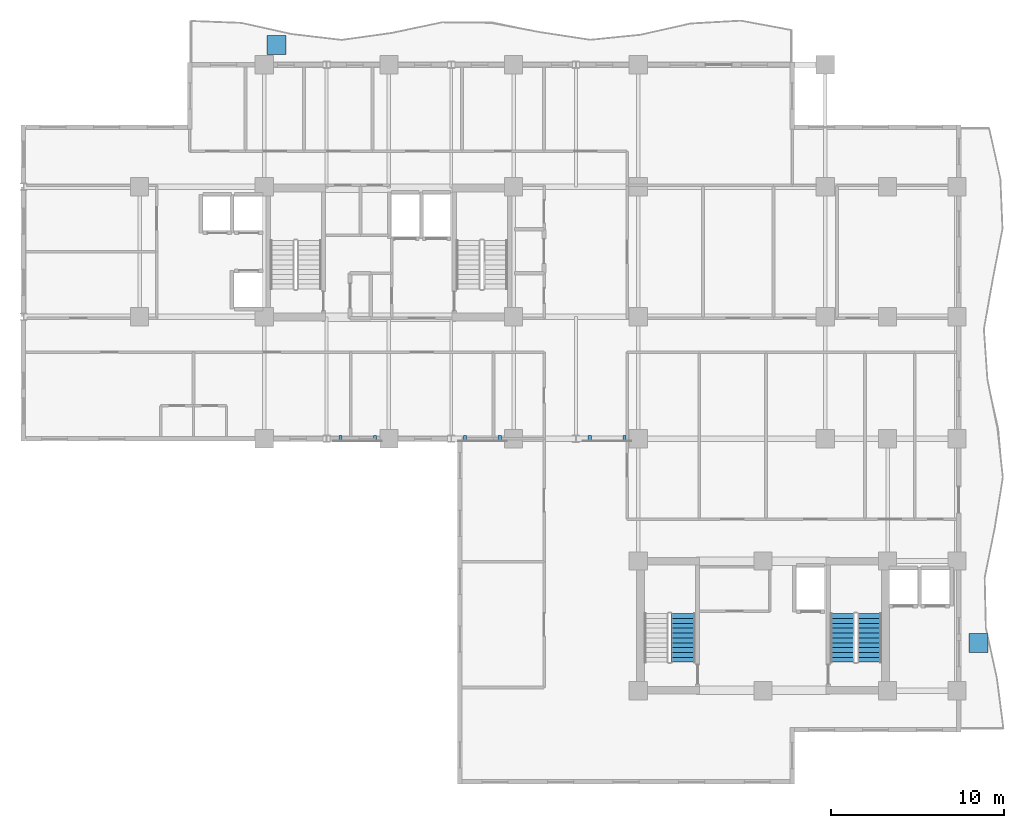
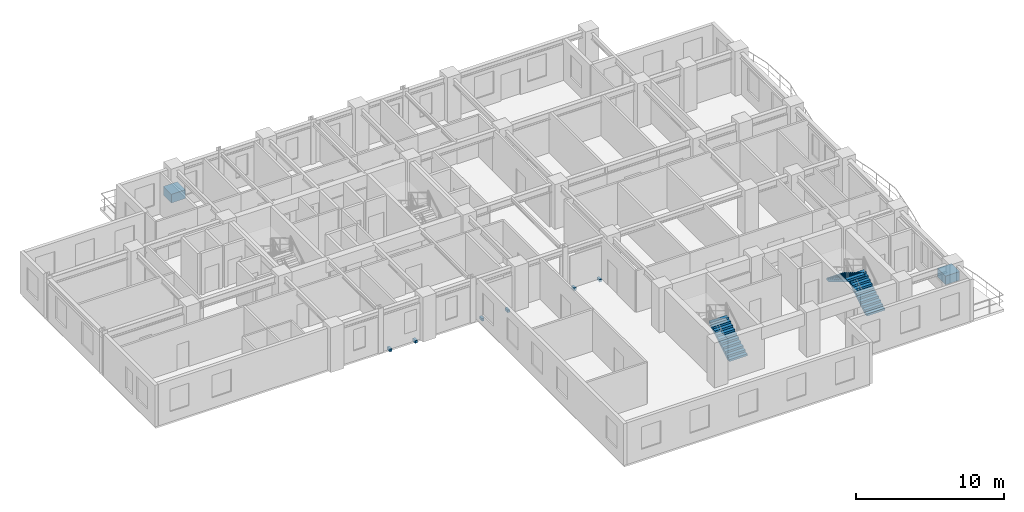
# One storey, part 10 of 13: 8 discrete accessories, 3 stair flights, 2 elements without a shape of their own.
"""IFC4 building model written with IfcOpenShell, lengths in metres."""

import ifcopenshell
import ifcopenshell.guid

model = None  # the IFC model being written
_history = None  # IfcOwnerHistory: only IFC2X3 demands one
_inside = {}  # id of a spatial element -> (the spatial element, [elements in it])
_under = {}  # id of a project, library or spatial element -> (it, [spatial elements below it])
_declared = {}  # id of a project -> (the project, [libraries it declares])
_typed = {}  # id of a type object -> (the type object, [elements of that type])
_made_of = {}  # id of a material, layer set ... -> (it, [elements and type objects made of it])


def new_model(schema):
    """Start an empty IFC model of exactly this schema.

    Asked for "IFC4X3", IfcOpenShell would pick the latest addendum, in which some entities
    have other attributes; the version numbers below select the first issue.
    IFC2X3 requires an IfcOwnerHistory on every rooted entity: one is made here for all.
    """
    global model, _history
    if schema == "IFC4X3":
        model = ifcopenshell.file(schema_version=(4, 3, 0, 0))
    else:
        model = ifcopenshell.file(schema=schema)
    _inside.clear()
    _under.clear()
    _declared.clear()
    _typed.clear()
    _made_of.clear()
    _history = None
    if model.schema == "IFC2X3":
        org = make("IfcOrganization", Name="unknown")
        user = make(
            "IfcPersonAndOrganization",
            ThePerson=make("IfcPerson", FamilyName="unknown"),
            TheOrganization=org,
        )
        app = make(
            "IfcApplication",
            ApplicationDeveloper=org,
            Version="unknown",
            ApplicationFullName="unknown",
            ApplicationIdentifier="unknown",
        )
        _history = make(
            "IfcOwnerHistory",
            OwningUser=user,
            OwningApplication=app,
            ChangeAction="ADDED",
            CreationDate=0,
        )
    return model


def make(cls, **values):
    """One entity of the class cls with the attributes given. An attribute that is None is left unset."""
    return model.create_entity(
        cls, **{name: value for name, value in values.items() if value is not None}
    )


def rooted(cls, **values):
    """An entity with a GlobalId (a new one), such as an element, a storey or a relation."""
    return make(cls, GlobalId=ifcopenshell.guid.new(), OwnerHistory=_history, **values)


def si_unit(unit_type, name, prefix=None):
    """IfcSIUnit, for example si_unit("LENGTHUNIT", "METRE", prefix="MILLI")."""
    return make("IfcSIUnit", UnitType=unit_type, Prefix=prefix, Name=name)


def assignment(units):
    """IfcUnitAssignment: the units of a project."""
    return None if units is None else make("IfcUnitAssignment", Units=units)


def point(xyz):
    """IfcCartesianPoint."""
    return None if xyz is None else make("IfcCartesianPoint", Coordinates=xyz)


def direction(xyz):
    """IfcDirection."""
    return None if xyz is None else make("IfcDirection", DirectionRatios=xyz)


def frame(location, z_axis=None, x_axis=None):
    """IfcAxis2Placement3D, a coordinate frame: its origin and axes. An axis left out is left unset."""
    return make(
        "IfcAxis2Placement3D",
        Location=point(location),
        Axis=direction(z_axis),
        RefDirection=direction(x_axis),
    )


def frame_2d(location, x_axis=None):
    """IfcAxis2Placement2D, a coordinate frame in the plane: its origin and x axis."""
    return make(
        "IfcAxis2Placement2D", Location=point(location), RefDirection=direction(x_axis)
    )


def origin():
    """The frame at (0, 0, 0) with its axes left unset."""
    return frame((0.0, 0.0, 0.0))


def origin_2d():
    """The frame at (0, 0) in the plane with its x axis left unset."""
    return frame_2d((0.0, 0.0))


def place(relative_to, where):
    """IfcLocalPlacement: puts the frame where relative to a parent placement (None: the world)."""
    return make(
        "IfcLocalPlacement", PlacementRelTo=relative_to, RelativePlacement=where
    )


def context(
    kind, dimensions, precision=None, world=None, true_north=None, identifier=None
):
    """IfcGeometricRepresentationContext, for example the 3D "Model" context."""
    return make(
        "IfcGeometricRepresentationContext",
        ContextIdentifier=identifier,
        ContextType=kind,
        CoordinateSpaceDimension=dimensions,
        Precision=precision,
        WorldCoordinateSystem=world,
        TrueNorth=true_north,
    )


def subcontext(parent, identifier, kind, view, scale=None):
    """IfcGeometricRepresentationSubContext, for example "Body" below "Model"."""
    return make(
        "IfcGeometricRepresentationSubContext",
        ContextIdentifier=identifier,
        ContextType=kind,
        ParentContext=parent,
        TargetScale=scale,
        TargetView=view,
    )


def project(units=None, contexts=None):
    """IfcProject with its units and contexts."""
    return rooted(
        "IfcProject",
        Name="project",
        RepresentationContexts=contexts,
        UnitsInContext=assignment(units),
    )


def spatial(cls, under=None, at=None, **own):
    """A site, building, storey or space (cls), placed at a placement, below another one or the project."""
    s = rooted(cls, ObjectPlacement=at, **own)
    if under is not None:
        _under.setdefault(under.id(), (under, []))[1].append(s)
    return s


def polyline(points):
    """IfcPolyline through the points."""
    return make("IfcPolyline", Points=[point(p) for p in points])


def profile(cls, at=None, kind="AREA", **sizes):
    """A parametric profile (cls). Its sizes go by their IFC names, for example OverallWidth=200.0."""
    return make(cls, ProfileType=kind, Position=at, **sizes)


def rectangle(**sizes):
    """IfcRectangleProfileDef."""
    return profile("IfcRectangleProfileDef", **sizes)


def outline(outer, holes=None, kind="AREA"):
    """IfcArbitraryClosedProfileDef: a profile drawn as a closed curve; with holes, ...WithVoids."""
    if holes is None:
        return make("IfcArbitraryClosedProfileDef", ProfileType=kind, OuterCurve=outer)
    return make(
        "IfcArbitraryProfileDefWithVoids",
        ProfileType=kind,
        OuterCurve=outer,
        InnerCurves=holes,
    )


def extrude(swept, where, along, depth):
    """IfcExtrudedAreaSolid: the profile swept, set in the frame where, extruded along a direction by depth."""
    return make(
        "IfcExtrudedAreaSolid",
        SweptArea=swept,
        Position=where,
        ExtrudedDirection=direction(along),
        Depth=depth,
    )


def shape(context_of_items, identifier, shape_type, items):
    """IfcShapeRepresentation: the items that make up one representation, for example the "Body"."""
    return make(
        "IfcShapeRepresentation",
        ContextOfItems=context_of_items,
        RepresentationIdentifier=identifier,
        RepresentationType=shape_type,
        Items=items,
    )


def source(mapping_origin, context_of_items, identifier, shape_type, items):
    """IfcRepresentationMap: a shape defined once, which mapped items show again and again."""
    return make(
        "IfcRepresentationMap",
        MappingOrigin=mapping_origin,
        MappedRepresentation=shape(context_of_items, identifier, shape_type, items),
    )


def transform(
    local_origin,
    x_axis=None,
    y_axis=None,
    z_axis=None,
    scale=None,
    scale2=None,
    scale3=None,
    uniform=True,
):
    """IfcCartesianTransformationOperator3D, or its non-uniform kind. x_axis, y_axis, z_axis: its Axis1, 2, 3."""
    if uniform:
        return make(
            "IfcCartesianTransformationOperator3D",
            Axis1=direction(x_axis),
            Axis2=direction(y_axis),
            LocalOrigin=point(local_origin),
            Scale=scale,
            Axis3=direction(z_axis),
        )
    return make(
        "IfcCartesianTransformationOperator3DnonUniform",
        Axis1=direction(x_axis),
        Axis2=direction(y_axis),
        LocalOrigin=point(local_origin),
        Scale=scale,
        Axis3=direction(z_axis),
        Scale2=scale2,
        Scale3=scale3,
    )


def mapped(mapping_source, mapping_target):
    """IfcMappedItem: shows the shape of a source again, moved by a transform."""
    return make(
        "IfcMappedItem", MappingSource=mapping_source, MappingTarget=mapping_target
    )


def material(Name=None, Category=None):
    """IfcMaterial."""
    return make("IfcMaterial", Name=Name, Category=Category)


def made_of(thing, what):
    """Note that an element or type object is made of a material, layer set ...; save() writes the relation."""
    if what is not None:
        _made_of.setdefault(what.id(), (what, []))[1].append(thing)
    return thing


def type_object(cls, material=None, **own):
    """A type object (cls), such as IfcWallType, which elements share."""
    return made_of(rooted(cls, **own), material)


def element(
    cls,
    number,
    at=None,
    inside=None,
    cuts=None,
    type_object=None,
    material=None,
    context=None,
    identifier="Body",
    shape_type=None,
    held_by="IfcProductDefinitionShape",
    body=None,
    shapes=None,
    **own,
):
    """One element of the class cls, such as IfcWall. Its Tag is "e" and its number.

    at: its placement. inside: the storey or other place that contains it. cuts: it is an
    opening in that element (IfcRelVoidsElement). A single representation is given by context,
    identifier, shape_type and body (its items); several are given by shapes. held_by: the class
    of the entity that holds the representations. save() writes the other relations.
    """
    e = rooted(cls, Tag="e%d" % number, ObjectPlacement=at, **own)
    if body is not None:
        shapes = [shape(context, identifier, shape_type, body)]
    if shapes is not None:
        e.Representation = make(held_by, Representations=shapes)
    if inside is not None:
        _inside.setdefault(inside.id(), (inside, []))[1].append(e)
    if cuts is not None:
        rooted(
            "IfcRelVoidsElement", RelatingBuildingElement=cuts, RelatedOpeningElement=e
        )
    if type_object is not None:
        _typed.setdefault(type_object.id(), (type_object, []))[1].append(e)
    return made_of(e, material)


def aggregate(whole, parts):
    """IfcRelAggregates: a whole, such as a stair, and the parts it consists of."""
    return rooted("IfcRelAggregates", RelatingObject=whole, RelatedObjects=parts)


def save(model, path):
    """Write the relations noted so far, then the file.

    IfcRelAggregates (storeys below a building ...), IfcRelContainedInSpatialStructure (elements
    in a storey), IfcRelDefinesByType, IfcRelAssociatesMaterial and IfcRelDeclares: one each for
    every whole, place, type object, material and project.
    """
    for whole, parts in _under.values():
        aggregate(whole, parts)
    for where, things in _inside.values():
        rooted(
            "IfcRelContainedInSpatialStructure",
            RelatedElements=things,
            RelatingStructure=where,
        )
    for kind, things in _typed.values():
        rooted("IfcRelDefinesByType", RelatedObjects=things, RelatingType=kind)
    for what, things in _made_of.values():
        rooted("IfcRelAssociatesMaterial", RelatedObjects=things, RelatingMaterial=what)
    for by, libraries in _declared.values():
        rooted("IfcRelDeclares", RelatingContext=by, RelatedDefinitions=libraries)
    model.write(path)


model = new_model("IFC4")

# Units and contexts
model_context = context("Model", 3, precision=1e-05, world=origin(), true_north=direction((0.0, 1.0)))
body_context = subcontext(model_context, "Body", "Model", "MODEL_VIEW")
ifc_project = project(units=[si_unit("LENGTHUNIT", "METRE"), si_unit("AREAUNIT", "SQUARE_METRE"), si_unit("VOLUMEUNIT", "CUBIC_METRE"), si_unit("PLANEANGLEUNIT", "RADIAN"), si_unit("MASSUNIT", "GRAM", prefix="KILO")], contexts=[model_context])

# Site, building, storey
site_placement = place(None, origin())
site = spatial("IfcSite", under=ifc_project, at=site_placement, CompositionType="ELEMENT")
building_placement = place(site_placement, origin())
building = spatial("IfcBuilding", under=site, at=building_placement, Name="Kaliganga Portal Commons", CompositionType="ELEMENT")
storey_placement = place(building_placement, frame((0.0, 0.0, 166.10009765625)))
storey = spatial("IfcBuildingStorey", under=building, at=storey_placement, Name="L42", CompositionType="ELEMENT", Elevation=166.10009765625)

# Stair, stair flight
ifc_material_1 = material(Name="Concrete C40/50", Category="concrete")
stair_type = type_object("IfcStairType", Name="ST-CORE-DOGLEG", PredefinedType="HALF_TURN_STAIR", material=ifc_material_1)
stair_1_placement = place(storey_placement, origin())
stair_1 = element("IfcStair", 1, at=stair_1_placement, inside=storey, type_object=stair_type, Name="L42 Protected Exit Stair ST-B1", PredefinedType="HALF_TURN_STAIR")
stair_flight_type = type_object("IfcStairFlightType", Name="STF-RC-1400", PredefinedType="STRAIGHT", material=ifc_material_1)
stair_flight_1_placement = place(storey_placement, frame((38.60009765625, 8.699951171875, 0.0), z_axis=(0.0, 0.0, 1.0), x_axis=(0.0, 1.0, 0.0)))
stair_flight_1 = element("IfcStairFlight", 2, at=stair_flight_1_placement, type_object=stair_flight_type, Name="ST-B1 flight 1", NumberOfRisers=11, NumberOfTreads=10, PredefinedType="STRAIGHT", RiserHeight=0.168181818, TreadLength=0.28, context=body_context, shape_type="SweptSolid", body=[
    extrude(outline(polyline([(0.0, 0.0), (0.0, 0.168212890625), (0.280029296875, 0.168212890625), (0.280029296875, 0.33642578125), (0.56005859375, 0.33642578125), (0.56005859375, 0.504638671875), (0.840087890625, 0.504638671875), (0.840087890625, 0.672607421875), (1.1201171875, 0.672607421875), (1.1201171875, 0.8408203125), (1.39990234375, 0.8408203125), (1.39990234375, 1.009033203125), (1.679931640625, 1.009033203125), (1.679931640625, 1.17724609375), (1.9599609375, 1.17724609375), (1.9599609375, 1.345458984375), (2.239990234375, 1.345458984375), (2.239990234375, 1.513671875), (2.52001953125, 1.513671875), (2.52001953125, 1.681884765625), (2.800048828125, 1.681884765625), (2.800048828125, 1.85009765625), (2.800048828125, 1.5068359375), (0.291015625, 0.0), (0.0, 0.0)])), frame((0.0, 0.699951171875, 0.0), z_axis=(0.0, -1.0, 0.0), x_axis=(1.0, 0.0, 0.0)), (0.0, 0.0, 1.0), 1.39990234375),
])
aggregate(stair_1, [stair_flight_1])

# Stair, stair flights
stair_2_placement = place(storey_placement, origin())
stair_2 = element("IfcStair", 3, at=stair_2_placement, inside=storey, type_object=stair_type, Name="L42 Protected Exit Stair ST-B2", PredefinedType="HALF_TURN_STAIR")
stair_flight_2_placement = place(storey_placement, frame((49.35009765625, 8.699951171875, 0.0), z_axis=(0.0, 0.0, 1.0), x_axis=(0.0, 1.0, 0.0)))
stair_flight_2 = element("IfcStairFlight", 4, at=stair_flight_2_placement, type_object=stair_flight_type, Name="ST-B2 flight 1", NumberOfRisers=11, NumberOfTreads=10, PredefinedType="STRAIGHT", RiserHeight=0.168181818, TreadLength=0.28, context=body_context, shape_type="SweptSolid", body=[
    extrude(outline(polyline([(0.0, 0.0), (0.0, 0.168212890625), (0.280029296875, 0.168212890625), (0.280029296875, 0.33642578125), (0.56005859375, 0.33642578125), (0.56005859375, 0.504638671875), (0.840087890625, 0.504638671875), (0.840087890625, 0.672607421875), (1.1201171875, 0.672607421875), (1.1201171875, 0.8408203125), (1.39990234375, 0.8408203125), (1.39990234375, 1.009033203125), (1.679931640625, 1.009033203125), (1.679931640625, 1.17724609375), (1.9599609375, 1.17724609375), (1.9599609375, 1.345458984375), (2.239990234375, 1.345458984375), (2.239990234375, 1.513671875), (2.52001953125, 1.513671875), (2.52001953125, 1.681884765625), (2.800048828125, 1.681884765625), (2.800048828125, 1.85009765625), (2.800048828125, 1.5068359375), (0.291015625, 0.0), (0.0, 0.0)])), frame((0.0, 0.699951171875, 0.0), z_axis=(0.0, -1.0, 0.0), x_axis=(1.0, 0.0, 0.0)), (0.0, 0.0, 1.0), 1.39990234375),
])
stair_flight_3_placement = place(storey_placement, frame((47.800048828125, 11.5, 1.849853515625), z_axis=(0.0, 0.0, 1.0), x_axis=(0.0, -1.0, 0.0)))
stair_flight_3 = element("IfcStairFlight", 5, at=stair_flight_3_placement, type_object=stair_flight_type, Name="ST-B2 flight 2", NumberOfRisers=11, NumberOfTreads=10, PredefinedType="STRAIGHT", RiserHeight=0.168181818, TreadLength=0.28, context=body_context, shape_type="SweptSolid", body=[
    extrude(outline(polyline([(0.0, 0.0), (0.0, 0.168212890625), (0.280029296875, 0.168212890625), (0.280029296875, 0.33642578125), (0.56005859375, 0.33642578125), (0.56005859375, 0.504638671875), (0.840087890625, 0.504638671875), (0.840087890625, 0.672607421875), (1.1201171875, 0.672607421875), (1.1201171875, 0.8408203125), (1.39990234375, 0.8408203125), (1.39990234375, 1.009033203125), (1.679931640625, 1.009033203125), (1.679931640625, 1.17724609375), (1.9599609375, 1.17724609375), (1.9599609375, 1.345458984375), (2.239990234375, 1.345458984375), (2.239990234375, 1.513671875), (2.52001953125, 1.513671875), (2.52001953125, 1.681884765625), (2.800048828125, 1.681884765625), (2.800048828125, 1.85009765625), (2.800048828125, 1.5068359375), (0.291015625, 0.0), (0.0, 0.0)])), frame((0.0, 0.699951171875, 0.0), z_axis=(0.0, -1.0, 0.0), x_axis=(1.0, 0.0, 0.0)), (0.0, 0.0, 1.0), 1.39990234375),
])
aggregate(stair_2, [stair_flight_2, stair_flight_3])

# Discrete accessories
ifc_material_2 = material(Name="Precast concrete C40/50", Category="concrete")
discrete_accessory_type_1 = type_object("IfcDiscreteAccessoryType", Name="DAC-PLANTER-RC", PredefinedType="USERDEFINED", material=ifc_material_2)
shared_shape_1 = source(origin(), body_context, "Body", "SweptSolid", [
    extrude(rectangle(XDim=1.10009765625, YDim=1.10009765625, at=origin_2d()), origin(), (0.0, 0.0, 1.0), 0.719970703125),
])
for number, where, z_axis, x_axis, name in (
    (6, (15.10009765625, 44.35009765625, 0.0), (0.0, 0.0, 1.0), (1.0, 0.0, 0.0), "Structural Tree Planter L42 balc_north"),
    (7, (55.64990234375, 9.800048828125, 0.0), (0.0, 0.0, 1.0), (1.0, 0.0, 0.0), "Structural Tree Planter L42 balc_east"),
):
    element("IfcDiscreteAccessory", number, at=place(storey_placement, frame(where, z_axis=z_axis, x_axis=x_axis)), inside=storey, type_object=discrete_accessory_type_1, Name=name, ObjectType="PLANTER", PredefinedType="USERDEFINED", context=body_context, shape_type="MappedRepresentation", body=[
        mapped(shared_shape_1, transform((0.0, 0.0, 0.0), x_axis=(1.0, 0.0, 0.0), y_axis=(0.0, 1.0, 0.0), z_axis=(0.0, 0.0, 1.0), scale=1.0)),
    ])
ifc_material_3 = material(Name="Structural steel S355J2", Category="steel")
discrete_accessory_type_2 = type_object("IfcDiscreteAccessoryType", Name="DAC-BRK-SCR", PredefinedType="BRACKET", material=ifc_material_3)
shared_shape_2 = source(origin(), body_context, "Body", "SweptSolid", [
    extrude(rectangle(XDim=0.179931640625, YDim=0.360107421875, at=origin_2d()), origin(), (0.0, 0.0, 1.0), 0.219970703125),
])
for number, where, z_axis, x_axis, name in (
    (8, (18.800048828125, 21.6201171875, -0.18994140625), (0.0, 0.0, 1.0), (1.0, 0.0, 0.0), "Solar Screen Outrigger Bracket L42-S1-1"),
    (9, (20.800048828125, 21.6201171875, -0.18994140625), (0.0, 0.0, 1.0), (1.0, 0.0, 0.0), "Solar Screen Outrigger Bracket L42-S1-2"),
    (10, (26.0, 21.6201171875, -0.18994140625), (0.0, 0.0, 1.0), (1.0, 0.0, 0.0), "Solar Screen Outrigger Bracket L42-S2-1"),
    (11, (28.0, 21.6201171875, -0.18994140625), (0.0, 0.0, 1.0), (1.0, 0.0, 0.0), "Solar Screen Outrigger Bracket L42-S2-2"),
    (12, (33.199951171875, 21.6201171875, -0.18994140625), (0.0, 0.0, 1.0), (1.0, 0.0, 0.0), "Solar Screen Outrigger Bracket L42-S3-1"),
    (13, (35.199951171875, 21.6201171875, -0.18994140625), (0.0, 0.0, 1.0), (1.0, 0.0, 0.0), "Solar Screen Outrigger Bracket L42-S3-2"),
):
    element("IfcDiscreteAccessory", number, at=place(storey_placement, frame(where, z_axis=z_axis, x_axis=x_axis)), inside=storey, type_object=discrete_accessory_type_2, Name=name, PredefinedType="BRACKET", context=body_context, shape_type="MappedRepresentation", body=[
        mapped(shared_shape_2, transform((0.0, 0.0, 0.0), x_axis=(1.0, 0.0, 0.0), y_axis=(0.0, 1.0, 0.0), z_axis=(0.0, 0.0, 1.0), scale=1.0)),
    ])

save(model, "model.ifc")
